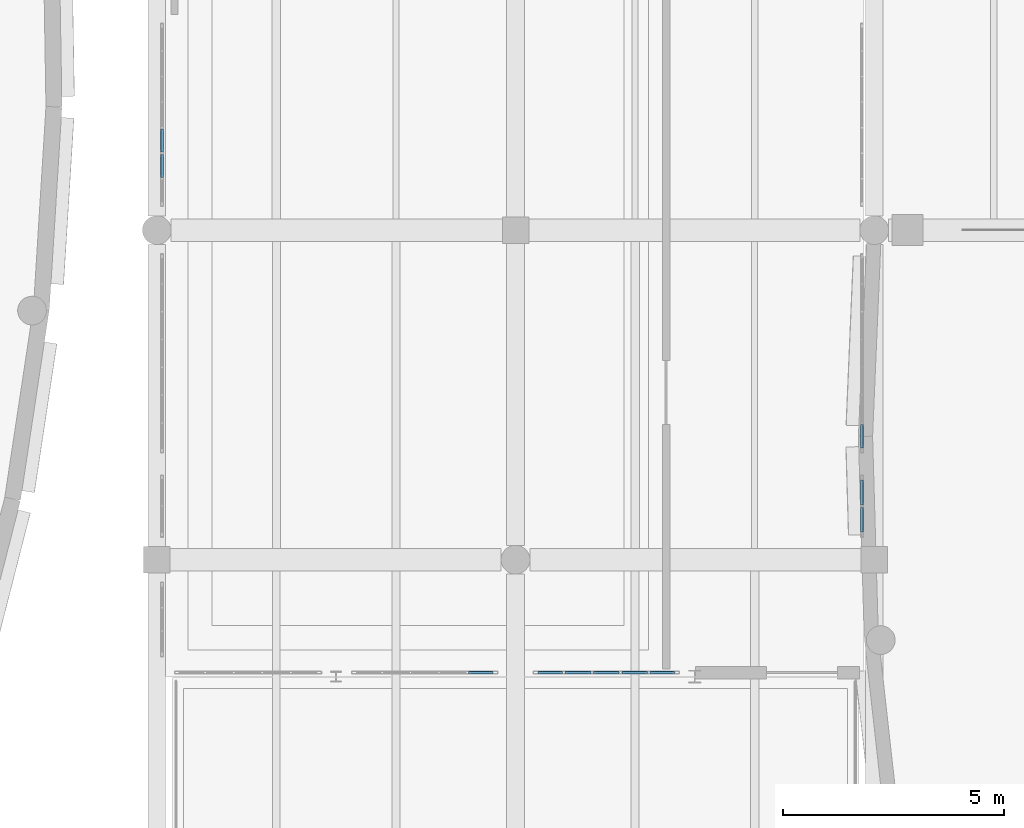
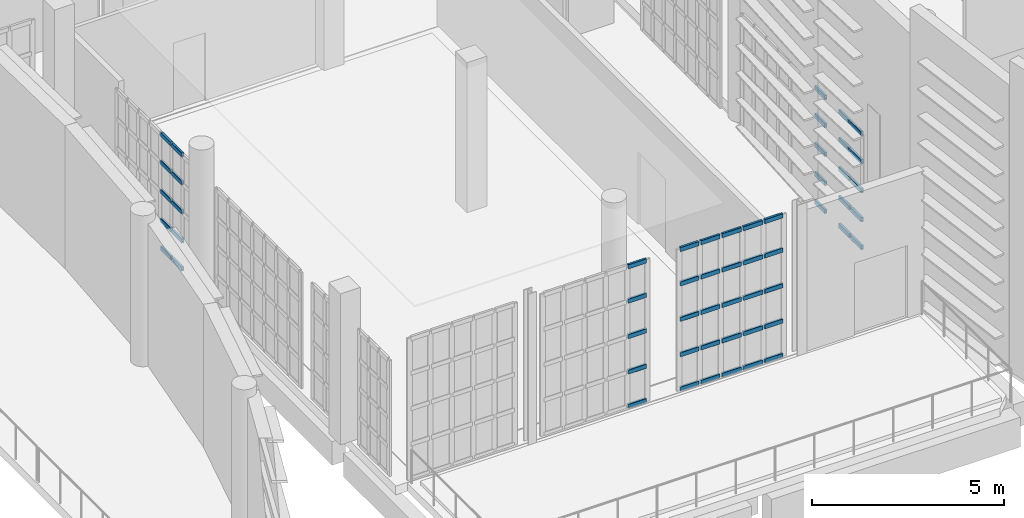
# One storey, part 61 of 104: 55 members, 5 elements without a shape of their own.
"""IFC4 building model written with IfcOpenShell, lengths in metres."""

from ifc_helpers import new_model, si_unit, direction, frame, origin, origin_2d, place, context, subcontext, project, spatial, hollow_rectangle, extrude, material, material_profile, profile_set, type_object, element, aggregate, save


model = new_model("IFC4")

# Units and contexts
model_context = context("Model", 3, precision=1e-05, world=origin(), true_north=direction((0.0, 1.0)))
body_context = subcontext(model_context, "Body", "Model", "MODEL_VIEW")
ifc_project = project(units=[si_unit("LENGTHUNIT", "METRE"), si_unit("AREAUNIT", "SQUARE_METRE"), si_unit("VOLUMEUNIT", "CUBIC_METRE"), si_unit("PLANEANGLEUNIT", "RADIAN"), si_unit("MASSUNIT", "GRAM", prefix="KILO")], contexts=[model_context])

# Site, building, storey
site_placement = place(None, origin())
site = spatial("IfcSite", under=ifc_project, at=site_placement, CompositionType="ELEMENT")
building_placement = place(site_placement, origin())
building = spatial("IfcBuilding", under=site, at=building_placement, Name="Kaelora Sail Theatre", CompositionType="ELEMENT")
storey_placement = place(building_placement, frame((0.0, 0.0, 5.39990234375)))
storey = spatial("IfcBuildingStorey", under=building, at=storey_placement, Name="L01", CompositionType="ELEMENT", Elevation=5.39990234375)

# Curtain wall, members
ifc_material_1 = material(Name="Anodised aluminium and solar-control low-E IGU", Category="aluminium")
curtain_wall_type = type_object("IfcCurtainWallType", Name="ARC-CW-CW-PROW", PredefinedType="NOTDEFINED", material=ifc_material_1)
curtain_wall_1_placement = place(storey_placement, origin())
curtain_wall_1 = element("IfcCurtainWall", 1, at=curtain_wall_1_placement, inside=storey, type_object=curtain_wall_type, Name="East Interstitial Sail Foyer Curtain Wall L01-02", PredefinedType="NOTDEFINED")
ifc_material_2 = material(Name="Anodised aluminium 6063-T6", Category="aluminium")
ifc_material_profile = material_profile(ifc_material_2, hollow_rectangle(XDim=0.070068359375, YDim=0.139892578125, WallThickness=0.00390625, InnerFilletRadius=0.00390625, OuterFilletRadius=0.008056640625, at=origin_2d()), Name="ALU-TRAN 70x140x4")
ifc_profile_set = profile_set([ifc_material_profile], Name="Anodised aluminium 6063-T6")
member_type = type_object("IfcMemberType", Name="ARC-MEM-TR-140", PredefinedType="USERDEFINED", material=ifc_profile_set)
member_1_placement = place(storey_placement, frame((113.840087890625, 43.590087890625, 0.03515625), z_axis=(1.0, 0.0, 0.0), x_axis=(0.0, 1.0, 0.0)))
member_1 = element("IfcMember", 2, at=member_1_placement, type_object=member_type, Name="CW-PROW transom 5.1", ObjectType="TRANSOM", PredefinedType="USERDEFINED", context=body_context, shape_type="SweptSolid", body=[
    extrude(hollow_rectangle(XDim=0.070068359375, YDim=0.139892578125, WallThickness=0.00390625, InnerFilletRadius=0.00390625, OuterFilletRadius=0.008056640625, at=origin_2d()), origin(), (0.0, 0.0, 1.0), 0.5498046875),
])
member_2_placement = place(storey_placement, frame((113.840087890625, 43.590087890625, 1.12646484375), z_axis=(1.0, 0.0, 0.0), x_axis=(0.0, 1.0, 0.0)))
member_2 = element("IfcMember", 3, at=member_2_placement, type_object=member_type, Name="CW-PROW transom 5.2", ObjectType="TRANSOM", PredefinedType="USERDEFINED", context=body_context, shape_type="SweptSolid", body=[
    extrude(hollow_rectangle(XDim=0.070068359375, YDim=0.139892578125, WallThickness=0.00390625, InnerFilletRadius=0.00390625, OuterFilletRadius=0.008056640625, at=origin_2d()), origin(), (0.0, 0.0, 1.0), 0.5498046875),
])
member_3_placement = place(storey_placement, frame((113.840087890625, 43.590087890625, 2.252685546875), z_axis=(1.0, 0.0, 0.0), x_axis=(0.0, 1.0, 0.0)))
member_3 = element("IfcMember", 4, at=member_3_placement, type_object=member_type, Name="CW-PROW transom 5.3", ObjectType="TRANSOM", PredefinedType="USERDEFINED", context=body_context, shape_type="SweptSolid", body=[
    extrude(hollow_rectangle(XDim=0.070068359375, YDim=0.139892578125, WallThickness=0.00390625, InnerFilletRadius=0.00390625, OuterFilletRadius=0.008056640625, at=origin_2d()), origin(), (0.0, 0.0, 1.0), 0.5498046875),
])
member_4_placement = place(storey_placement, frame((113.840087890625, 43.590087890625, 3.37890625), z_axis=(1.0, 0.0, 0.0), x_axis=(0.0, 1.0, 0.0)))
member_4 = element("IfcMember", 5, at=member_4_placement, type_object=member_type, Name="CW-PROW transom 5.4", ObjectType="TRANSOM", PredefinedType="USERDEFINED", context=body_context, shape_type="SweptSolid", body=[
    extrude(hollow_rectangle(XDim=0.070068359375, YDim=0.139892578125, WallThickness=0.00390625, InnerFilletRadius=0.00390625, OuterFilletRadius=0.008056640625, at=origin_2d()), origin(), (0.0, 0.0, 1.0), 0.5498046875),
])
member_5_placement = place(storey_placement, frame((113.840087890625, 43.590087890625, 4.47021484375), z_axis=(1.0, 0.0, 0.0), x_axis=(0.0, 1.0, 0.0)))
member_5 = element("IfcMember", 6, at=member_5_placement, type_object=member_type, Name="CW-PROW transom 5.5", ObjectType="TRANSOM", PredefinedType="USERDEFINED", context=body_context, shape_type="SweptSolid", body=[
    extrude(hollow_rectangle(XDim=0.070068359375, YDim=0.139892578125, WallThickness=0.00390625, InnerFilletRadius=0.00390625, OuterFilletRadius=0.008056640625, at=origin_2d()), origin(), (0.0, 0.0, 1.0), 0.5498046875),
])
aggregate(curtain_wall_1, [member_1, member_2, member_3, member_4, member_5])

curtain_wall_2_placement = place(storey_placement, origin())
curtain_wall_2 = element("IfcCurtainWall", 7, at=curtain_wall_2_placement, inside=storey, type_object=curtain_wall_type, Name="East Interstitial Sail Foyer Curtain Wall L01-03", PredefinedType="NOTDEFINED")
member_6_placement = place(storey_placement, frame((115.409912109375, 43.590087890625, 0.03515625), z_axis=(1.0, 0.0, 0.0), x_axis=(0.0, 1.0, 0.0)))
member_6 = element("IfcMember", 8, at=member_6_placement, type_object=member_type, Name="CW-PROW transom 1.1", ObjectType="TRANSOM", PredefinedType="USERDEFINED", context=body_context, shape_type="SweptSolid", body=[
    extrude(hollow_rectangle(XDim=0.070068359375, YDim=0.139892578125, WallThickness=0.00390625, InnerFilletRadius=0.00390625, OuterFilletRadius=0.008056640625, at=origin_2d()), origin(), (0.0, 0.0, 1.0), 0.550048828125),
])
member_7_placement = place(storey_placement, frame((115.409912109375, 43.590087890625, 1.12646484375), z_axis=(1.0, 0.0, 0.0), x_axis=(0.0, 1.0, 0.0)))
member_7 = element("IfcMember", 9, at=member_7_placement, type_object=member_type, Name="CW-PROW transom 1.2", ObjectType="TRANSOM", PredefinedType="USERDEFINED", context=body_context, shape_type="SweptSolid", body=[
    extrude(hollow_rectangle(XDim=0.070068359375, YDim=0.139892578125, WallThickness=0.00390625, InnerFilletRadius=0.00390625, OuterFilletRadius=0.008056640625, at=origin_2d()), origin(), (0.0, 0.0, 1.0), 0.550048828125),
])
member_8_placement = place(storey_placement, frame((115.409912109375, 43.590087890625, 2.252685546875), z_axis=(1.0, 0.0, 0.0), x_axis=(0.0, 1.0, 0.0)))
member_8 = element("IfcMember", 10, at=member_8_placement, type_object=member_type, Name="CW-PROW transom 1.3", ObjectType="TRANSOM", PredefinedType="USERDEFINED", context=body_context, shape_type="SweptSolid", body=[
    extrude(hollow_rectangle(XDim=0.070068359375, YDim=0.139892578125, WallThickness=0.00390625, InnerFilletRadius=0.00390625, OuterFilletRadius=0.008056640625, at=origin_2d()), origin(), (0.0, 0.0, 1.0), 0.550048828125),
])
member_9_placement = place(storey_placement, frame((115.409912109375, 43.590087890625, 3.37890625), z_axis=(1.0, 0.0, 0.0), x_axis=(0.0, 1.0, 0.0)))
member_9 = element("IfcMember", 11, at=member_9_placement, type_object=member_type, Name="CW-PROW transom 1.4", ObjectType="TRANSOM", PredefinedType="USERDEFINED", context=body_context, shape_type="SweptSolid", body=[
    extrude(hollow_rectangle(XDim=0.070068359375, YDim=0.139892578125, WallThickness=0.00390625, InnerFilletRadius=0.00390625, OuterFilletRadius=0.008056640625, at=origin_2d()), origin(), (0.0, 0.0, 1.0), 0.550048828125),
])
member_10_placement = place(storey_placement, frame((115.409912109375, 43.590087890625, 4.47021484375), z_axis=(1.0, 0.0, 0.0), x_axis=(0.0, 1.0, 0.0)))
member_10 = element("IfcMember", 12, at=member_10_placement, type_object=member_type, Name="CW-PROW transom 1.5", ObjectType="TRANSOM", PredefinedType="USERDEFINED", context=body_context, shape_type="SweptSolid", body=[
    extrude(hollow_rectangle(XDim=0.070068359375, YDim=0.139892578125, WallThickness=0.00390625, InnerFilletRadius=0.00390625, OuterFilletRadius=0.008056640625, at=origin_2d()), origin(), (0.0, 0.0, 1.0), 0.550048828125),
])
member_11_placement = place(storey_placement, frame((116.02001953125, 43.590087890625, 0.03515625), z_axis=(1.0, 0.0, 0.0), x_axis=(0.0, 1.0, 0.0)))
member_11 = element("IfcMember", 13, at=member_11_placement, type_object=member_type, Name="CW-PROW transom 2.1", ObjectType="TRANSOM", PredefinedType="USERDEFINED", context=body_context, shape_type="SweptSolid", body=[
    extrude(hollow_rectangle(XDim=0.070068359375, YDim=0.139892578125, WallThickness=0.00390625, InnerFilletRadius=0.00390625, OuterFilletRadius=0.008056640625, at=origin_2d()), origin(), (0.0, 0.0, 1.0), 0.580078125),
])
member_12_placement = place(storey_placement, frame((116.02001953125, 43.590087890625, 1.12646484375), z_axis=(1.0, 0.0, 0.0), x_axis=(0.0, 1.0, 0.0)))
member_12 = element("IfcMember", 14, at=member_12_placement, type_object=member_type, Name="CW-PROW transom 2.2", ObjectType="TRANSOM", PredefinedType="USERDEFINED", context=body_context, shape_type="SweptSolid", body=[
    extrude(hollow_rectangle(XDim=0.070068359375, YDim=0.139892578125, WallThickness=0.00390625, InnerFilletRadius=0.00390625, OuterFilletRadius=0.008056640625, at=origin_2d()), origin(), (0.0, 0.0, 1.0), 0.580078125),
])
member_13_placement = place(storey_placement, frame((116.02001953125, 43.590087890625, 2.252685546875), z_axis=(1.0, 0.0, 0.0), x_axis=(0.0, 1.0, 0.0)))
member_13 = element("IfcMember", 15, at=member_13_placement, type_object=member_type, Name="CW-PROW transom 2.3", ObjectType="TRANSOM", PredefinedType="USERDEFINED", context=body_context, shape_type="SweptSolid", body=[
    extrude(hollow_rectangle(XDim=0.070068359375, YDim=0.139892578125, WallThickness=0.00390625, InnerFilletRadius=0.00390625, OuterFilletRadius=0.008056640625, at=origin_2d()), origin(), (0.0, 0.0, 1.0), 0.580078125),
])
member_14_placement = place(storey_placement, frame((116.02001953125, 43.590087890625, 3.37890625), z_axis=(1.0, 0.0, 0.0), x_axis=(0.0, 1.0, 0.0)))
member_14 = element("IfcMember", 16, at=member_14_placement, type_object=member_type, Name="CW-PROW transom 2.4", ObjectType="TRANSOM", PredefinedType="USERDEFINED", context=body_context, shape_type="SweptSolid", body=[
    extrude(hollow_rectangle(XDim=0.070068359375, YDim=0.139892578125, WallThickness=0.00390625, InnerFilletRadius=0.00390625, OuterFilletRadius=0.008056640625, at=origin_2d()), origin(), (0.0, 0.0, 1.0), 0.580078125),
])
member_15_placement = place(storey_placement, frame((116.02001953125, 43.590087890625, 4.47021484375), z_axis=(1.0, 0.0, 0.0), x_axis=(0.0, 1.0, 0.0)))
member_15 = element("IfcMember", 17, at=member_15_placement, type_object=member_type, Name="CW-PROW transom 2.5", ObjectType="TRANSOM", PredefinedType="USERDEFINED", context=body_context, shape_type="SweptSolid", body=[
    extrude(hollow_rectangle(XDim=0.070068359375, YDim=0.139892578125, WallThickness=0.00390625, InnerFilletRadius=0.00390625, OuterFilletRadius=0.008056640625, at=origin_2d()), origin(), (0.0, 0.0, 1.0), 0.580078125),
])
member_16_placement = place(storey_placement, frame((116.659912109375, 43.590087890625, 0.03515625), z_axis=(1.0, 0.0, 0.0), x_axis=(0.0, 1.0, 0.0)))
member_16 = element("IfcMember", 18, at=member_16_placement, type_object=member_type, Name="CW-PROW transom 3.1", ObjectType="TRANSOM", PredefinedType="USERDEFINED", context=body_context, shape_type="SweptSolid", body=[
    extrude(hollow_rectangle(XDim=0.070068359375, YDim=0.139892578125, WallThickness=0.00390625, InnerFilletRadius=0.00390625, OuterFilletRadius=0.008056640625, at=origin_2d()), origin(), (0.0, 0.0, 1.0), 0.580078125),
])
member_17_placement = place(storey_placement, frame((116.659912109375, 43.590087890625, 1.12646484375), z_axis=(1.0, 0.0, 0.0), x_axis=(0.0, 1.0, 0.0)))
member_17 = element("IfcMember", 19, at=member_17_placement, type_object=member_type, Name="CW-PROW transom 3.2", ObjectType="TRANSOM", PredefinedType="USERDEFINED", context=body_context, shape_type="SweptSolid", body=[
    extrude(hollow_rectangle(XDim=0.070068359375, YDim=0.139892578125, WallThickness=0.00390625, InnerFilletRadius=0.00390625, OuterFilletRadius=0.008056640625, at=origin_2d()), origin(), (0.0, 0.0, 1.0), 0.580078125),
])
member_18_placement = place(storey_placement, frame((116.659912109375, 43.590087890625, 2.252685546875), z_axis=(1.0, 0.0, 0.0), x_axis=(0.0, 1.0, 0.0)))
member_18 = element("IfcMember", 20, at=member_18_placement, type_object=member_type, Name="CW-PROW transom 3.3", ObjectType="TRANSOM", PredefinedType="USERDEFINED", context=body_context, shape_type="SweptSolid", body=[
    extrude(hollow_rectangle(XDim=0.070068359375, YDim=0.139892578125, WallThickness=0.00390625, InnerFilletRadius=0.00390625, OuterFilletRadius=0.008056640625, at=origin_2d()), origin(), (0.0, 0.0, 1.0), 0.580078125),
])
member_19_placement = place(storey_placement, frame((116.659912109375, 43.590087890625, 3.37890625), z_axis=(1.0, 0.0, 0.0), x_axis=(0.0, 1.0, 0.0)))
member_19 = element("IfcMember", 21, at=member_19_placement, type_object=member_type, Name="CW-PROW transom 3.4", ObjectType="TRANSOM", PredefinedType="USERDEFINED", context=body_context, shape_type="SweptSolid", body=[
    extrude(hollow_rectangle(XDim=0.070068359375, YDim=0.139892578125, WallThickness=0.00390625, InnerFilletRadius=0.00390625, OuterFilletRadius=0.008056640625, at=origin_2d()), origin(), (0.0, 0.0, 1.0), 0.580078125),
])
member_20_placement = place(storey_placement, frame((116.659912109375, 43.590087890625, 4.47021484375), z_axis=(1.0, 0.0, 0.0), x_axis=(0.0, 1.0, 0.0)))
member_20 = element("IfcMember", 22, at=member_20_placement, type_object=member_type, Name="CW-PROW transom 3.5", ObjectType="TRANSOM", PredefinedType="USERDEFINED", context=body_context, shape_type="SweptSolid", body=[
    extrude(hollow_rectangle(XDim=0.070068359375, YDim=0.139892578125, WallThickness=0.00390625, InnerFilletRadius=0.00390625, OuterFilletRadius=0.008056640625, at=origin_2d()), origin(), (0.0, 0.0, 1.0), 0.580078125),
])
member_21_placement = place(storey_placement, frame((117.300048828125, 43.590087890625, 0.03515625), z_axis=(1.0, 0.0, 0.0), x_axis=(0.0, 1.0, 0.0)))
member_21 = element("IfcMember", 23, at=member_21_placement, type_object=member_type, Name="CW-PROW transom 4.1", ObjectType="TRANSOM", PredefinedType="USERDEFINED", context=body_context, shape_type="SweptSolid", body=[
    extrude(hollow_rectangle(XDim=0.070068359375, YDim=0.139892578125, WallThickness=0.00390625, InnerFilletRadius=0.00390625, OuterFilletRadius=0.008056640625, at=origin_2d()), origin(), (0.0, 0.0, 1.0), 0.579833984375),
])
member_22_placement = place(storey_placement, frame((117.300048828125, 43.590087890625, 1.12646484375), z_axis=(1.0, 0.0, 0.0), x_axis=(0.0, 1.0, 0.0)))
member_22 = element("IfcMember", 24, at=member_22_placement, type_object=member_type, Name="CW-PROW transom 4.2", ObjectType="TRANSOM", PredefinedType="USERDEFINED", context=body_context, shape_type="SweptSolid", body=[
    extrude(hollow_rectangle(XDim=0.070068359375, YDim=0.139892578125, WallThickness=0.00390625, InnerFilletRadius=0.00390625, OuterFilletRadius=0.008056640625, at=origin_2d()), origin(), (0.0, 0.0, 1.0), 0.579833984375),
])
member_23_placement = place(storey_placement, frame((117.300048828125, 43.590087890625, 2.252685546875), z_axis=(1.0, 0.0, 0.0), x_axis=(0.0, 1.0, 0.0)))
member_23 = element("IfcMember", 25, at=member_23_placement, type_object=member_type, Name="CW-PROW transom 4.3", ObjectType="TRANSOM", PredefinedType="USERDEFINED", context=body_context, shape_type="SweptSolid", body=[
    extrude(hollow_rectangle(XDim=0.070068359375, YDim=0.139892578125, WallThickness=0.00390625, InnerFilletRadius=0.00390625, OuterFilletRadius=0.008056640625, at=origin_2d()), origin(), (0.0, 0.0, 1.0), 0.579833984375),
])
member_24_placement = place(storey_placement, frame((117.300048828125, 43.590087890625, 3.37890625), z_axis=(1.0, 0.0, 0.0), x_axis=(0.0, 1.0, 0.0)))
member_24 = element("IfcMember", 26, at=member_24_placement, type_object=member_type, Name="CW-PROW transom 4.4", ObjectType="TRANSOM", PredefinedType="USERDEFINED", context=body_context, shape_type="SweptSolid", body=[
    extrude(hollow_rectangle(XDim=0.070068359375, YDim=0.139892578125, WallThickness=0.00390625, InnerFilletRadius=0.00390625, OuterFilletRadius=0.008056640625, at=origin_2d()), origin(), (0.0, 0.0, 1.0), 0.579833984375),
])
member_25_placement = place(storey_placement, frame((117.300048828125, 43.590087890625, 4.47021484375), z_axis=(1.0, 0.0, 0.0), x_axis=(0.0, 1.0, 0.0)))
member_25 = element("IfcMember", 27, at=member_25_placement, type_object=member_type, Name="CW-PROW transom 4.5", ObjectType="TRANSOM", PredefinedType="USERDEFINED", context=body_context, shape_type="SweptSolid", body=[
    extrude(hollow_rectangle(XDim=0.070068359375, YDim=0.139892578125, WallThickness=0.00390625, InnerFilletRadius=0.00390625, OuterFilletRadius=0.008056640625, at=origin_2d()), origin(), (0.0, 0.0, 1.0), 0.579833984375),
])
member_26_placement = place(storey_placement, frame((117.93994140625, 43.590087890625, 0.03515625), z_axis=(1.0, 0.0, 0.0), x_axis=(0.0, 1.0, 0.0)))
member_26 = element("IfcMember", 28, at=member_26_placement, type_object=member_type, Name="CW-PROW transom 5.1", ObjectType="TRANSOM", PredefinedType="USERDEFINED", context=body_context, shape_type="SweptSolid", body=[
    extrude(hollow_rectangle(XDim=0.070068359375, YDim=0.139892578125, WallThickness=0.00390625, InnerFilletRadius=0.00390625, OuterFilletRadius=0.008056640625, at=origin_2d()), origin(), (0.0, 0.0, 1.0), 0.550048828125),
])
member_27_placement = place(storey_placement, frame((117.93994140625, 43.590087890625, 1.12646484375), z_axis=(1.0, 0.0, 0.0), x_axis=(0.0, 1.0, 0.0)))
member_27 = element("IfcMember", 29, at=member_27_placement, type_object=member_type, Name="CW-PROW transom 5.2", ObjectType="TRANSOM", PredefinedType="USERDEFINED", context=body_context, shape_type="SweptSolid", body=[
    extrude(hollow_rectangle(XDim=0.070068359375, YDim=0.139892578125, WallThickness=0.00390625, InnerFilletRadius=0.00390625, OuterFilletRadius=0.008056640625, at=origin_2d()), origin(), (0.0, 0.0, 1.0), 0.550048828125),
])
member_28_placement = place(storey_placement, frame((117.93994140625, 43.590087890625, 2.252685546875), z_axis=(1.0, 0.0, 0.0), x_axis=(0.0, 1.0, 0.0)))
member_28 = element("IfcMember", 30, at=member_28_placement, type_object=member_type, Name="CW-PROW transom 5.3", ObjectType="TRANSOM", PredefinedType="USERDEFINED", context=body_context, shape_type="SweptSolid", body=[
    extrude(hollow_rectangle(XDim=0.070068359375, YDim=0.139892578125, WallThickness=0.00390625, InnerFilletRadius=0.00390625, OuterFilletRadius=0.008056640625, at=origin_2d()), origin(), (0.0, 0.0, 1.0), 0.550048828125),
])
member_29_placement = place(storey_placement, frame((117.93994140625, 43.590087890625, 3.37890625), z_axis=(1.0, 0.0, 0.0), x_axis=(0.0, 1.0, 0.0)))
member_29 = element("IfcMember", 31, at=member_29_placement, type_object=member_type, Name="CW-PROW transom 5.4", ObjectType="TRANSOM", PredefinedType="USERDEFINED", context=body_context, shape_type="SweptSolid", body=[
    extrude(hollow_rectangle(XDim=0.070068359375, YDim=0.139892578125, WallThickness=0.00390625, InnerFilletRadius=0.00390625, OuterFilletRadius=0.008056640625, at=origin_2d()), origin(), (0.0, 0.0, 1.0), 0.550048828125),
])
member_30_placement = place(storey_placement, frame((117.93994140625, 43.590087890625, 4.47021484375), z_axis=(1.0, 0.0, 0.0), x_axis=(0.0, 1.0, 0.0)))
member_30 = element("IfcMember", 32, at=member_30_placement, type_object=member_type, Name="CW-PROW transom 5.5", ObjectType="TRANSOM", PredefinedType="USERDEFINED", context=body_context, shape_type="SweptSolid", body=[
    extrude(hollow_rectangle(XDim=0.070068359375, YDim=0.139892578125, WallThickness=0.00390625, InnerFilletRadius=0.00390625, OuterFilletRadius=0.008056640625, at=origin_2d()), origin(), (0.0, 0.0, 1.0), 0.550048828125),
])
aggregate(curtain_wall_2, [member_6, member_7, member_8, member_9, member_10, member_11, member_12, member_13, member_14, member_15, member_16, member_17, member_18, member_19, member_20, member_21, member_22, member_23, member_24, member_25, member_26, member_27, member_28, member_29, member_30])

curtain_wall_3_placement = place(storey_placement, origin())
curtain_wall_3 = element("IfcCurtainWall", 33, at=curtain_wall_3_placement, inside=storey, type_object=curtain_wall_type, Name="East Interstitial Foyer East Glazed Return L01-01", PredefinedType="NOTDEFINED")
member_31_placement = place(storey_placement, frame((122.719970703125, 46.760009765625, 0.03515625), z_axis=(0.0, 1.0, 0.0), x_axis=(-1.0, 0.0, 0.0)))
member_31 = element("IfcMember", 34, at=member_31_placement, type_object=member_type, Name="CW-PROW transom 1.1", ObjectType="TRANSOM", PredefinedType="USERDEFINED", context=body_context, shape_type="SweptSolid", body=[
    extrude(hollow_rectangle(XDim=0.070068359375, YDim=0.139892578125, WallThickness=0.00390625, InnerFilletRadius=0.00390625, OuterFilletRadius=0.008056640625, at=origin_2d()), origin(), (0.0, 0.0, 1.0), 0.56005859375),
])
member_32_placement = place(storey_placement, frame((122.719970703125, 46.760009765625, 0.921875), z_axis=(0.0, 1.0, 0.0), x_axis=(-1.0, 0.0, 0.0)))
member_32 = element("IfcMember", 35, at=member_32_placement, type_object=member_type, Name="CW-PROW transom 1.2", ObjectType="TRANSOM", PredefinedType="USERDEFINED", context=body_context, shape_type="SweptSolid", body=[
    extrude(hollow_rectangle(XDim=0.070068359375, YDim=0.139892578125, WallThickness=0.00390625, InnerFilletRadius=0.00390625, OuterFilletRadius=0.008056640625, at=origin_2d()), origin(), (0.0, 0.0, 1.0), 0.56005859375),
])
member_33_placement = place(storey_placement, frame((122.719970703125, 46.760009765625, 1.843505859375), z_axis=(0.0, 1.0, 0.0), x_axis=(-1.0, 0.0, 0.0)))
member_33 = element("IfcMember", 36, at=member_33_placement, type_object=member_type, Name="CW-PROW transom 1.3", ObjectType="TRANSOM", PredefinedType="USERDEFINED", context=body_context, shape_type="SweptSolid", body=[
    extrude(hollow_rectangle(XDim=0.070068359375, YDim=0.139892578125, WallThickness=0.00390625, InnerFilletRadius=0.00390625, OuterFilletRadius=0.008056640625, at=origin_2d()), origin(), (0.0, 0.0, 1.0), 0.56005859375),
])
member_34_placement = place(storey_placement, frame((122.719970703125, 46.760009765625, 2.765380859375), z_axis=(0.0, 1.0, 0.0), x_axis=(-1.0, 0.0, 0.0)))
member_34 = element("IfcMember", 37, at=member_34_placement, type_object=member_type, Name="CW-PROW transom 1.4", ObjectType="TRANSOM", PredefinedType="USERDEFINED", context=body_context, shape_type="SweptSolid", body=[
    extrude(hollow_rectangle(XDim=0.070068359375, YDim=0.139892578125, WallThickness=0.00390625, InnerFilletRadius=0.00390625, OuterFilletRadius=0.008056640625, at=origin_2d()), origin(), (0.0, 0.0, 1.0), 0.56005859375),
])
member_35_placement = place(storey_placement, frame((122.719970703125, 46.760009765625, 3.652099609375), z_axis=(0.0, 1.0, 0.0), x_axis=(-1.0, 0.0, 0.0)))
member_35 = element("IfcMember", 38, at=member_35_placement, type_object=member_type, Name="CW-PROW transom 1.5", ObjectType="TRANSOM", PredefinedType="USERDEFINED", context=body_context, shape_type="SweptSolid", body=[
    extrude(hollow_rectangle(XDim=0.070068359375, YDim=0.139892578125, WallThickness=0.00390625, InnerFilletRadius=0.00390625, OuterFilletRadius=0.008056640625, at=origin_2d()), origin(), (0.0, 0.0, 1.0), 0.56005859375),
])
member_36_placement = place(storey_placement, frame((122.719970703125, 47.3798828125, 0.03515625), z_axis=(0.0, 1.0, 0.0), x_axis=(-1.0, 0.0, 0.0)))
member_36 = element("IfcMember", 39, at=member_36_placement, type_object=member_type, Name="CW-PROW transom 2.1", ObjectType="TRANSOM", PredefinedType="USERDEFINED", context=body_context, shape_type="SweptSolid", body=[
    extrude(hollow_rectangle(XDim=0.070068359375, YDim=0.139892578125, WallThickness=0.00390625, InnerFilletRadius=0.00390625, OuterFilletRadius=0.008056640625, at=origin_2d()), origin(), (0.0, 0.0, 1.0), 0.56005859375),
])
member_37_placement = place(storey_placement, frame((122.719970703125, 47.3798828125, 0.921875), z_axis=(0.0, 1.0, 0.0), x_axis=(-1.0, 0.0, 0.0)))
member_37 = element("IfcMember", 40, at=member_37_placement, type_object=member_type, Name="CW-PROW transom 2.2", ObjectType="TRANSOM", PredefinedType="USERDEFINED", context=body_context, shape_type="SweptSolid", body=[
    extrude(hollow_rectangle(XDim=0.070068359375, YDim=0.139892578125, WallThickness=0.00390625, InnerFilletRadius=0.00390625, OuterFilletRadius=0.008056640625, at=origin_2d()), origin(), (0.0, 0.0, 1.0), 0.56005859375),
])
member_38_placement = place(storey_placement, frame((122.719970703125, 47.3798828125, 1.843505859375), z_axis=(0.0, 1.0, 0.0), x_axis=(-1.0, 0.0, 0.0)))
member_38 = element("IfcMember", 41, at=member_38_placement, type_object=member_type, Name="CW-PROW transom 2.3", ObjectType="TRANSOM", PredefinedType="USERDEFINED", context=body_context, shape_type="SweptSolid", body=[
    extrude(hollow_rectangle(XDim=0.070068359375, YDim=0.139892578125, WallThickness=0.00390625, InnerFilletRadius=0.00390625, OuterFilletRadius=0.008056640625, at=origin_2d()), origin(), (0.0, 0.0, 1.0), 0.56005859375),
])
member_39_placement = place(storey_placement, frame((122.719970703125, 47.3798828125, 2.765380859375), z_axis=(0.0, 1.0, 0.0), x_axis=(-1.0, 0.0, 0.0)))
member_39 = element("IfcMember", 42, at=member_39_placement, type_object=member_type, Name="CW-PROW transom 2.4", ObjectType="TRANSOM", PredefinedType="USERDEFINED", context=body_context, shape_type="SweptSolid", body=[
    extrude(hollow_rectangle(XDim=0.070068359375, YDim=0.139892578125, WallThickness=0.00390625, InnerFilletRadius=0.00390625, OuterFilletRadius=0.008056640625, at=origin_2d()), origin(), (0.0, 0.0, 1.0), 0.56005859375),
])
member_40_placement = place(storey_placement, frame((122.719970703125, 47.3798828125, 3.652099609375), z_axis=(0.0, 1.0, 0.0), x_axis=(-1.0, 0.0, 0.0)))
member_40 = element("IfcMember", 43, at=member_40_placement, type_object=member_type, Name="CW-PROW transom 2.5", ObjectType="TRANSOM", PredefinedType="USERDEFINED", context=body_context, shape_type="SweptSolid", body=[
    extrude(hollow_rectangle(XDim=0.070068359375, YDim=0.139892578125, WallThickness=0.00390625, InnerFilletRadius=0.00390625, OuterFilletRadius=0.008056640625, at=origin_2d()), origin(), (0.0, 0.0, 1.0), 0.56005859375),
])
aggregate(curtain_wall_3, [member_31, member_32, member_33, member_34, member_35, member_36, member_37, member_38, member_39, member_40])

curtain_wall_4_placement = place(storey_placement, origin())
curtain_wall_4 = element("IfcCurtainWall", 44, at=curtain_wall_4_placement, inside=storey, type_object=curtain_wall_type, Name="East Interstitial Foyer East Glazed Return L01-02", PredefinedType="NOTDEFINED")
member_41_placement = place(storey_placement, frame((122.719970703125, 48.659912109375, 0.03515625), z_axis=(0.0, 1.0, 0.0), x_axis=(-1.0, 0.0, 0.0)))
member_41 = element("IfcMember", 45, at=member_41_placement, type_object=member_type, Name="CW-PROW transom 1.1", ObjectType="TRANSOM", PredefinedType="USERDEFINED", context=body_context, shape_type="SweptSolid", body=[
    extrude(hollow_rectangle(XDim=0.070068359375, YDim=0.139892578125, WallThickness=0.00390625, InnerFilletRadius=0.00390625, OuterFilletRadius=0.008056640625, at=origin_2d()), origin(), (0.0, 0.0, 1.0), 0.537841796875),
])
member_42_placement = place(storey_placement, frame((122.719970703125, 48.659912109375, 0.921875), z_axis=(0.0, 1.0, 0.0), x_axis=(-1.0, 0.0, 0.0)))
member_42 = element("IfcMember", 46, at=member_42_placement, type_object=member_type, Name="CW-PROW transom 1.2", ObjectType="TRANSOM", PredefinedType="USERDEFINED", context=body_context, shape_type="SweptSolid", body=[
    extrude(hollow_rectangle(XDim=0.070068359375, YDim=0.139892578125, WallThickness=0.00390625, InnerFilletRadius=0.00390625, OuterFilletRadius=0.008056640625, at=origin_2d()), origin(), (0.0, 0.0, 1.0), 0.537841796875),
])
member_43_placement = place(storey_placement, frame((122.719970703125, 48.659912109375, 1.843505859375), z_axis=(0.0, 1.0, 0.0), x_axis=(-1.0, 0.0, 0.0)))
member_43 = element("IfcMember", 47, at=member_43_placement, type_object=member_type, Name="CW-PROW transom 1.3", ObjectType="TRANSOM", PredefinedType="USERDEFINED", context=body_context, shape_type="SweptSolid", body=[
    extrude(hollow_rectangle(XDim=0.070068359375, YDim=0.139892578125, WallThickness=0.00390625, InnerFilletRadius=0.00390625, OuterFilletRadius=0.008056640625, at=origin_2d()), origin(), (0.0, 0.0, 1.0), 0.537841796875),
])
member_44_placement = place(storey_placement, frame((122.719970703125, 48.659912109375, 2.765380859375), z_axis=(0.0, 1.0, 0.0), x_axis=(-1.0, 0.0, 0.0)))
member_44 = element("IfcMember", 48, at=member_44_placement, type_object=member_type, Name="CW-PROW transom 1.4", ObjectType="TRANSOM", PredefinedType="USERDEFINED", context=body_context, shape_type="SweptSolid", body=[
    extrude(hollow_rectangle(XDim=0.070068359375, YDim=0.139892578125, WallThickness=0.00390625, InnerFilletRadius=0.00390625, OuterFilletRadius=0.008056640625, at=origin_2d()), origin(), (0.0, 0.0, 1.0), 0.537841796875),
])
member_45_placement = place(storey_placement, frame((122.719970703125, 48.659912109375, 3.652099609375), z_axis=(0.0, 1.0, 0.0), x_axis=(-1.0, 0.0, 0.0)))
member_45 = element("IfcMember", 49, at=member_45_placement, type_object=member_type, Name="CW-PROW transom 1.5", ObjectType="TRANSOM", PredefinedType="USERDEFINED", context=body_context, shape_type="SweptSolid", body=[
    extrude(hollow_rectangle(XDim=0.070068359375, YDim=0.139892578125, WallThickness=0.00390625, InnerFilletRadius=0.00390625, OuterFilletRadius=0.008056640625, at=origin_2d()), origin(), (0.0, 0.0, 1.0), 0.537841796875),
])
aggregate(curtain_wall_4, [member_41, member_42, member_43, member_44, member_45])

curtain_wall_5_placement = place(storey_placement, origin())
curtain_wall_5 = element("IfcCurtainWall", 50, at=curtain_wall_5_placement, inside=storey, type_object=curtain_wall_type, Name="East Interstitial Foyer West Glazed Return L01-03", PredefinedType="NOTDEFINED")
member_46_placement = place(storey_placement, frame((106.919921875, 54.771484375, 0.03515625), z_axis=(0.0, 1.0, 0.0), x_axis=(-1.0, 0.0, 0.0)))
member_46 = element("IfcMember", 51, at=member_46_placement, type_object=member_type, Name="CW-PROW transom 2.1", ObjectType="TRANSOM", PredefinedType="USERDEFINED", context=body_context, shape_type="SweptSolid", body=[
    extrude(hollow_rectangle(XDim=0.070068359375, YDim=0.139892578125, WallThickness=0.00390625, InnerFilletRadius=0.00390625, OuterFilletRadius=0.008056640625, at=origin_2d()), origin(), (0.0, 0.0, 1.0), 0.516357421875),
])
member_47_placement = place(storey_placement, frame((106.919921875, 54.771484375, 0.921875), z_axis=(0.0, 1.0, 0.0), x_axis=(-1.0, 0.0, 0.0)))
member_47 = element("IfcMember", 52, at=member_47_placement, type_object=member_type, Name="CW-PROW transom 2.2", ObjectType="TRANSOM", PredefinedType="USERDEFINED", context=body_context, shape_type="SweptSolid", body=[
    extrude(hollow_rectangle(XDim=0.070068359375, YDim=0.139892578125, WallThickness=0.00390625, InnerFilletRadius=0.00390625, OuterFilletRadius=0.008056640625, at=origin_2d()), origin(), (0.0, 0.0, 1.0), 0.516357421875),
])
member_48_placement = place(storey_placement, frame((106.919921875, 54.771484375, 1.843505859375), z_axis=(0.0, 1.0, 0.0), x_axis=(-1.0, 0.0, 0.0)))
member_48 = element("IfcMember", 53, at=member_48_placement, type_object=member_type, Name="CW-PROW transom 2.3", ObjectType="TRANSOM", PredefinedType="USERDEFINED", context=body_context, shape_type="SweptSolid", body=[
    extrude(hollow_rectangle(XDim=0.070068359375, YDim=0.139892578125, WallThickness=0.00390625, InnerFilletRadius=0.00390625, OuterFilletRadius=0.008056640625, at=origin_2d()), origin(), (0.0, 0.0, 1.0), 0.516357421875),
])
member_49_placement = place(storey_placement, frame((106.919921875, 54.771484375, 2.765380859375), z_axis=(0.0, 1.0, 0.0), x_axis=(-1.0, 0.0, 0.0)))
member_49 = element("IfcMember", 54, at=member_49_placement, type_object=member_type, Name="CW-PROW transom 2.4", ObjectType="TRANSOM", PredefinedType="USERDEFINED", context=body_context, shape_type="SweptSolid", body=[
    extrude(hollow_rectangle(XDim=0.070068359375, YDim=0.139892578125, WallThickness=0.00390625, InnerFilletRadius=0.00390625, OuterFilletRadius=0.008056640625, at=origin_2d()), origin(), (0.0, 0.0, 1.0), 0.516357421875),
])
member_50_placement = place(storey_placement, frame((106.919921875, 54.771484375, 3.652099609375), z_axis=(0.0, 1.0, 0.0), x_axis=(-1.0, 0.0, 0.0)))
member_50 = element("IfcMember", 55, at=member_50_placement, type_object=member_type, Name="CW-PROW transom 2.5", ObjectType="TRANSOM", PredefinedType="USERDEFINED", context=body_context, shape_type="SweptSolid", body=[
    extrude(hollow_rectangle(XDim=0.070068359375, YDim=0.139892578125, WallThickness=0.00390625, InnerFilletRadius=0.00390625, OuterFilletRadius=0.008056640625, at=origin_2d()), origin(), (0.0, 0.0, 1.0), 0.516357421875),
])
member_51_placement = place(storey_placement, frame((106.919921875, 55.347900390625, 0.03515625), z_axis=(0.0, 1.0, 0.0), x_axis=(-1.0, 0.0, 0.0)))
member_51 = element("IfcMember", 56, at=member_51_placement, type_object=member_type, Name="CW-PROW transom 3.1", ObjectType="TRANSOM", PredefinedType="USERDEFINED", context=body_context, shape_type="SweptSolid", body=[
    extrude(hollow_rectangle(XDim=0.070068359375, YDim=0.139892578125, WallThickness=0.00390625, InnerFilletRadius=0.00390625, OuterFilletRadius=0.008056640625, at=origin_2d()), origin(), (0.0, 0.0, 1.0), 0.516357421875),
])
member_52_placement = place(storey_placement, frame((106.919921875, 55.347900390625, 0.921875), z_axis=(0.0, 1.0, 0.0), x_axis=(-1.0, 0.0, 0.0)))
member_52 = element("IfcMember", 57, at=member_52_placement, type_object=member_type, Name="CW-PROW transom 3.2", ObjectType="TRANSOM", PredefinedType="USERDEFINED", context=body_context, shape_type="SweptSolid", body=[
    extrude(hollow_rectangle(XDim=0.070068359375, YDim=0.139892578125, WallThickness=0.00390625, InnerFilletRadius=0.00390625, OuterFilletRadius=0.008056640625, at=origin_2d()), origin(), (0.0, 0.0, 1.0), 0.516357421875),
])
member_53_placement = place(storey_placement, frame((106.919921875, 55.347900390625, 1.843505859375), z_axis=(0.0, 1.0, 0.0), x_axis=(-1.0, 0.0, 0.0)))
member_53 = element("IfcMember", 58, at=member_53_placement, type_object=member_type, Name="CW-PROW transom 3.3", ObjectType="TRANSOM", PredefinedType="USERDEFINED", context=body_context, shape_type="SweptSolid", body=[
    extrude(hollow_rectangle(XDim=0.070068359375, YDim=0.139892578125, WallThickness=0.00390625, InnerFilletRadius=0.00390625, OuterFilletRadius=0.008056640625, at=origin_2d()), origin(), (0.0, 0.0, 1.0), 0.516357421875),
])
member_54_placement = place(storey_placement, frame((106.919921875, 55.347900390625, 2.765380859375), z_axis=(0.0, 1.0, 0.0), x_axis=(-1.0, 0.0, 0.0)))
member_54 = element("IfcMember", 59, at=member_54_placement, type_object=member_type, Name="CW-PROW transom 3.4", ObjectType="TRANSOM", PredefinedType="USERDEFINED", context=body_context, shape_type="SweptSolid", body=[
    extrude(hollow_rectangle(XDim=0.070068359375, YDim=0.139892578125, WallThickness=0.00390625, InnerFilletRadius=0.00390625, OuterFilletRadius=0.008056640625, at=origin_2d()), origin(), (0.0, 0.0, 1.0), 0.516357421875),
])
member_55_placement = place(storey_placement, frame((106.919921875, 55.347900390625, 3.652099609375), z_axis=(0.0, 1.0, 0.0), x_axis=(-1.0, 0.0, 0.0)))
member_55 = element("IfcMember", 60, at=member_55_placement, type_object=member_type, Name="CW-PROW transom 3.5", ObjectType="TRANSOM", PredefinedType="USERDEFINED", context=body_context, shape_type="SweptSolid", body=[
    extrude(hollow_rectangle(XDim=0.070068359375, YDim=0.139892578125, WallThickness=0.00390625, InnerFilletRadius=0.00390625, OuterFilletRadius=0.008056640625, at=origin_2d()), origin(), (0.0, 0.0, 1.0), 0.516357421875),
])
aggregate(curtain_wall_5, [member_46, member_47, member_48, member_49, member_50, member_51, member_52, member_53, member_54, member_55])

save(model, "model.ifc")
